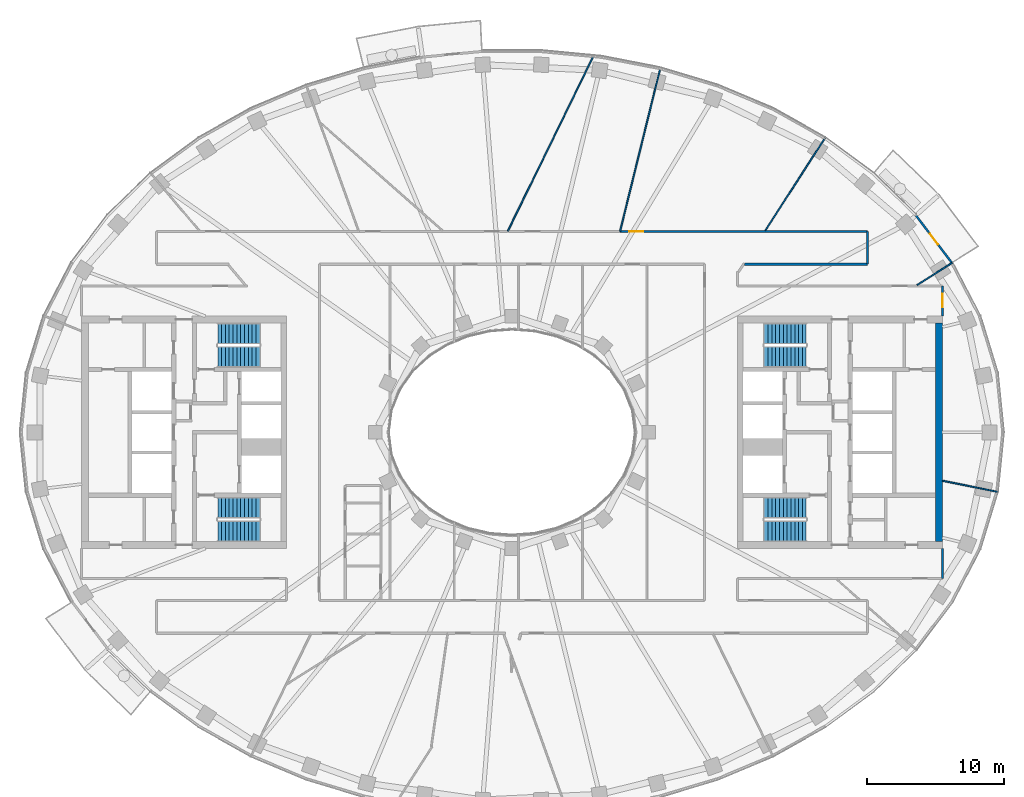
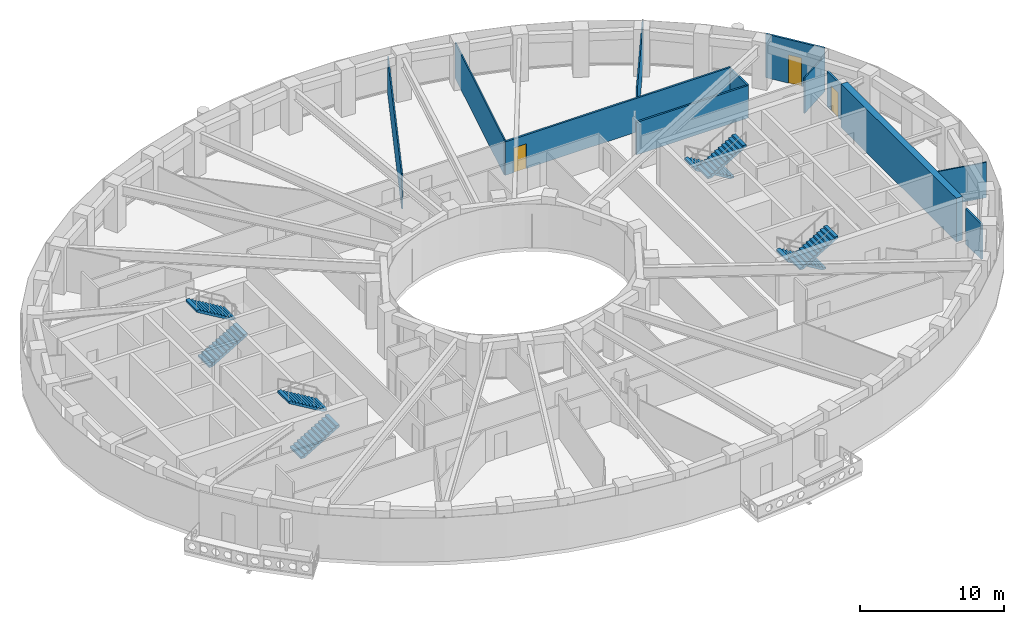
# One storey, part 7 of 16: 12 walls, 8 stair flights, 3 doors, 3 openings, 4 elements without a shape of their own.
"""IFC4 building model written with IfcOpenShell, lengths in metres."""

from ifc_helpers import new_model, si_unit, direction, frame, frame_2d, origin, place, context, subcontext, project, spatial, polyline, rectangle, outline, extrude, material, layer, layer_set, type_object, element, fill, aggregate, save


model = new_model("IFC4")

# Units and contexts
model_context = context("Model", 3, precision=1e-05, world=origin(), true_north=direction((0.0, 1.0)))
body_context = subcontext(model_context, "Body", "Model", "MODEL_VIEW")
ifc_project = project(units=[si_unit("LENGTHUNIT", "METRE"), si_unit("AREAUNIT", "SQUARE_METRE"), si_unit("VOLUMEUNIT", "CUBIC_METRE"), si_unit("PLANEANGLEUNIT", "RADIAN"), si_unit("MASSUNIT", "GRAM", prefix="KILO")], contexts=[model_context])

# Site, building, storey
site_placement = place(None, origin())
site = spatial("IfcSite", under=ifc_project, at=site_placement, CompositionType="ELEMENT")
building_placement = place(site_placement, origin())
building = spatial("IfcBuilding", under=site, at=building_placement, Name="Noorbagh Ring Tower", CompositionType="ELEMENT")
storey_placement = place(building_placement, frame((0.0, 0.0, 245.5)))
storey = spatial("IfcBuildingStorey", under=building, at=storey_placement, Name="L51", CompositionType="ELEMENT", Elevation=245.5)

# Wall
ifc_material_1 = material(Name="Concrete C60/75", Category="concrete")
ifc_layer_1 = layer(ifc_material_1, 0.5)
ifc_layer_set_1 = layer_set([ifc_layer_1], Name="Concrete C60/75")
wall_type_1 = type_object("IfcWallType", Name="CORE-WALL-500-C60-75-EI240", PredefinedType="SHEAR", material=ifc_layer_set_1)
wall_1_placement = place(storey_placement, frame((31.25, -8.0, 0.0), z_axis=(0.0, 0.0, 1.0), x_axis=(0.0, 1.0, 0.0)))
element("IfcWall", 1, at=wall_1_placement, inside=storey, type_object=wall_type_1, Name="Core wall E", PredefinedType="SHEAR", context=body_context, shape_type="SweptSolid", body=[
    extrude(rectangle(XDim=16.0, YDim=0.5, at=frame_2d((8.0, 0.0))), origin(), (0.0, 0.0, 1.0), 3.699951171875),
])

# Wall, opening, door
ifc_material_2 = material(Name="Gypsum board on steel studs", Category="steel")
ifc_layer_2 = layer(ifc_material_2, 0.14990234375)
ifc_layer_set_2 = layer_set([ifc_layer_2], Name="Gypsum board on steel studs")
wall_type_2 = type_object("IfcWallType", Name="CORRIDOR PARTITION 150 EI 30", PredefinedType="PARTITIONING", material=ifc_layer_set_2)
wall_2_placement = place(storey_placement, frame((7.9189453125, 14.699951171875, 0.0), z_axis=(0.0, 0.0, 1.0), x_axis=(1.0, 0.0, 0.0)))
wall_2 = element("IfcWall", 2, at=wall_2_placement, inside=storey, type_object=wall_type_2, Name="L51/wall/P51", PredefinedType="PARTITIONING", context=body_context, shape_type="SweptSolid", body=[
    extrude(rectangle(XDim=18.0810546875, YDim=0.14990234375, at=frame_2d((9.04052734375, 0.0))), origin(), (0.0, 0.0, 1.0), 2.85009765625),
])
opening_1_placement = place(wall_2_placement, frame((0.677978515625, 0.0, 0.0)))
opening_1 = element("IfcOpeningElement", 3, at=opening_1_placement, cuts=wall_2, Name="Opening D1", PredefinedType="OPENING", context=body_context, shape_type="SweptSolid", body=[
    extrude(rectangle(XDim=1.0, YDim=2.10009765625, at=frame_2d((0.5, 1.050048828125))), frame((0.0, 0.0849609375, 0.0), z_axis=(0.0, -1.0, 0.0), x_axis=(1.0, 0.0, 0.0)), (0.0, 0.0, 1.0), 0.169921875),
])
ifc_material_3 = material(Name="Timber, painted", Category="wood")
door_type_1 = type_object("IfcDoorType", Name="DOOR 1000 X 2100 FD30", OperationType="SINGLE_SWING_LEFT", PredefinedType="DOOR", material=ifc_material_3)
door_1_placement = place(opening_1_placement, origin())
door_1 = element("IfcDoor", 4, at=door_1_placement, inside=storey, type_object=door_type_1, Name="L51-D16", OperationType="SINGLE_SWING_RIGHT", OverallHeight=2.10009765625, OverallWidth=1.0, PredefinedType="DOOR", context=body_context, shape_type="SweptSolid", body=[
    extrude(rectangle(XDim=1.0, YDim=2.10009765625, at=frame_2d((0.5, 1.050048828125))), frame((0.0, 0.02490234375, 0.0), z_axis=(0.0, -1.0, 0.0), x_axis=(1.0, 0.0, 0.0)), (0.0, 0.0, 1.0), 0.050048828125),
])
fill(opening_1, door_1)

# Walls
wall_3_placement = place(storey_placement, frame((17.029052734375, 12.300048828125, 0.0), z_axis=(0.0, 0.0, 1.0), x_axis=(1.0, 0.0, 0.0)))
element("IfcWall", 5, at=wall_3_placement, inside=storey, type_object=wall_type_2, Name="L51/wall/P61", PredefinedType="PARTITIONING", context=body_context, shape_type="SweptSolid", body=[
    extrude(rectangle(XDim=8.970947265625, YDim=0.14990234375, at=frame_2d((4.4853515625, 0.0))), origin(), (0.0, 0.0, 1.0), 2.75),
])
wall_4_placement = place(storey_placement, frame((26.0, 12.300048828125, 0.0), z_axis=(0.0, 0.0, 1.0), x_axis=(0.0, 1.0, 0.0)))
element("IfcWall", 6, at=wall_4_placement, inside=storey, type_object=wall_type_2, Name="L51/wall/P66", PredefinedType="PARTITIONING", context=body_context, shape_type="SweptSolid", body=[
    extrude(rectangle(XDim=2.39990234375, YDim=0.14990234375, at=frame_2d((1.199951171875, 0.0))), origin(), (0.0, 0.0, 1.0), 2.75),
])
wall_5_placement = place(storey_placement, frame((31.5, -10.699951171875, 0.0), z_axis=(0.0, 0.0, 1.0), x_axis=(0.0, 1.0, 0.0)))
element("IfcWall", 7, at=wall_5_placement, inside=storey, type_object=wall_type_2, Name="L51/wall/P68", PredefinedType="PARTITIONING", context=body_context, shape_type="SweptSolid", body=[
    extrude(rectangle(XDim=2.199951171875, YDim=0.14990234375, at=frame_2d((1.10009765625, 0.0))), origin(), (0.0, 0.0, 1.0), 3.0),
])

# Wall, opening, door
wall_6_placement = place(storey_placement, frame((31.5, 8.5, 0.0), z_axis=(0.0, 0.0, 1.0), x_axis=(0.0, 1.0, 0.0)))
wall_6 = element("IfcWall", 8, at=wall_6_placement, inside=storey, type_object=wall_type_2, Name="L51/wall/P70", PredefinedType="PARTITIONING", context=body_context, shape_type="SweptSolid", body=[
    extrude(rectangle(XDim=2.199951171875, YDim=0.14990234375, at=frame_2d((1.10009765625, 0.0))), origin(), (0.0, 0.0, 1.0), 3.0),
])
opening_2_placement = place(wall_6_placement, frame((0.64990234375, 0.0, 0.0)))
opening_2 = element("IfcOpeningElement", 9, at=opening_2_placement, cuts=wall_6, Name="Opening D1", PredefinedType="OPENING", context=body_context, shape_type="SweptSolid", body=[
    extrude(rectangle(XDim=1.0, YDim=2.10009765625, at=frame_2d((0.5, 1.050048828125))), frame((0.0, 0.0849609375, 0.0), z_axis=(0.0, -1.0, 0.0), x_axis=(1.0, 0.0, 0.0)), (0.0, 0.0, 1.0), 0.169921875),
])
door_2_placement = place(opening_2_placement, origin())
door_2 = element("IfcDoor", 10, at=door_2_placement, inside=storey, type_object=door_type_1, Name="L51-D21", OperationType="SINGLE_SWING_LEFT", OverallHeight=2.10009765625, OverallWidth=1.0, PredefinedType="DOOR", context=body_context, shape_type="SweptSolid", body=[
    extrude(rectangle(XDim=1.0, YDim=2.10009765625, at=frame_2d((0.5, 1.050048828125))), frame((0.0, 0.02490234375, 0.0), z_axis=(0.0, -1.0, 0.0), x_axis=(1.0, 0.0, 0.0)), (0.0, 0.0, 1.0), 0.050048828125),
])
fill(opening_2, door_2)

ifc_material_4 = material(Name="Insulated aluminium clad panel", Category="aluminium")
ifc_layer_3 = layer(ifc_material_4, 0.14990234375)
ifc_layer_set_3 = layer_set([ifc_layer_3], Name="Insulated aluminium clad panel")
wall_type_3 = type_object("IfcWallType", Name="ENV-WALL-DOOR", PredefinedType="STANDARD", material=ifc_layer_set_3)
wall_7_placement = place(storey_placement, frame((32.20751953125, 12.37353515625, 0.0), z_axis=(0.0, 0.0, 1.0), x_axis=(-0.604045763106, 0.796949632081, 0.0)))
wall_7 = element("IfcWall", 11, at=wall_7_placement, inside=storey, type_object=wall_type_3, Name="Balcony door wall chord 04", PredefinedType="STANDARD", context=body_context, shape_type="SweptSolid", body=[
    extrude(rectangle(XDim=4.42333984375, YDim=0.14990234375, at=frame_2d((2.211669921875, 0.0))), origin(), (0.0, 0.0, 1.0), 3.699951171875),
])
opening_3_placement = place(wall_7_placement, frame((1.711669921875, 0.0, 0.0)))
opening_3 = element("IfcOpeningElement", 12, at=opening_3_placement, cuts=wall_7, Name="Opening D-BL", PredefinedType="OPENING", context=body_context, shape_type="SweptSolid", body=[
    extrude(rectangle(XDim=1.0, YDim=2.39990234375, at=frame_2d((0.5, 1.199951171875))), frame((0.0, 0.0849609375, 0.0), z_axis=(0.0, -1.0, 0.0), x_axis=(1.0, 0.0, 0.0)), (0.0, 0.0, 1.0), 0.169921875),
])
ifc_material_5 = material(Name="Aluminium and glass", Category="aluminium")
door_type_2 = type_object("IfcDoorType", Name="ENV-DOOR-BALCONY", OperationType="SINGLE_SWING_LEFT", PredefinedType="DOOR", material=ifc_material_5)
door_3_placement = place(opening_3_placement, origin())
door_3 = element("IfcDoor", 13, at=door_3_placement, inside=storey, type_object=door_type_2, Name="Balcony door chord 04", OperationType="SINGLE_SWING_RIGHT", OverallHeight=2.39990234375, OverallWidth=1.0, PredefinedType="DOOR", context=body_context, shape_type="SweptSolid", body=[
    extrude(rectangle(XDim=1.0, YDim=2.39990234375, at=frame_2d((0.5, 1.199951171875))), frame((0.0, 0.02490234375, 0.0), z_axis=(0.0, -1.0, 0.0), x_axis=(1.0, 0.0, 0.0)), (0.0, 0.0, 1.0), 0.050048828125),
])
fill(opening_3, door_3)

# Walls
ifc_material_6 = material(Name="Gypsum board on steel studs", Category="steel")
ifc_layer_4 = layer(ifc_material_6, 0.10009765625)
ifc_layer_set_4 = layer_set([ifc_layer_4], Name="Gypsum board on steel studs")
wall_type_4 = type_object("IfcWallType", Name="PARTITION 100 GYPSUM", PredefinedType="PARTITIONING", material=ifc_layer_set_4)
wall_8_placement = place(storey_placement, frame((-0.31201171875, 14.716064453125, 0.0), z_axis=(0.0, 0.0, 1.0), x_axis=(0.439293576349, 0.898343561105, 0.0)))
element("IfcWall", 14, at=wall_8_placement, inside=storey, type_object=wall_type_4, Name="L51/wall/P39", PredefinedType="PARTITIONING", context=body_context, shape_type="SweptSolid", body=[
    extrude(rectangle(XDim=14.27294921875, YDim=0.10009765625, at=frame_2d((7.136474609375, 0.0))), origin(), (0.0, 0.0, 1.0), 3.0),
])
wall_9_placement = place(storey_placement, frame((7.903076171875, 14.699951171875, 0.0), z_axis=(0.0, 0.0, 1.0), x_axis=(0.239738210493, 0.9708375716, 0.0)))
element("IfcWall", 15, at=wall_9_placement, inside=storey, type_object=wall_type_4, Name="L51/wall/P50", PredefinedType="PARTITIONING", context=body_context, shape_type="SweptSolid", body=[
    extrude(rectangle(XDim=12.304931640625, YDim=0.10009765625, at=frame_2d((6.15234375, 0.0))), origin(), (0.0, 0.0, 1.0), 3.0),
])
wall_10_placement = place(storey_placement, frame((18.5380859375, 14.77490234375, 0.0), z_axis=(0.0, 0.0, 1.0), x_axis=(0.542221460331, 0.840235614549, 0.0)))
element("IfcWall", 16, at=wall_10_placement, inside=storey, type_object=wall_type_4, Name="L51/wall/P62", PredefinedType="PARTITIONING", context=body_context, shape_type="SweptSolid", body=[
    extrude(rectangle(XDim=8.0537109375, YDim=0.10009765625, at=frame_2d((4.02685546875, 0.0))), origin(), (0.0, 0.0, 1.0), 3.699951171875),
])
wall_11_placement = place(storey_placement, frame((29.636962890625, 10.777099609375, 0.0), z_axis=(0.0, 0.0, 1.0), x_axis=(0.844810627195, 0.535065420467, 0.0)))
element("IfcWall", 17, at=wall_11_placement, inside=storey, type_object=wall_type_4, Name="L51/wall/P67", PredefinedType="PARTITIONING", context=body_context, shape_type="SweptSolid", body=[
    extrude(rectangle(XDim=3.0478515625, YDim=0.10009765625, at=frame_2d((1.52392578125, 0.0))), origin(), (0.0, 0.0, 1.0), 3.0),
])
wall_12_placement = place(storey_placement, frame((31.5, -3.5419921875, 0.0), z_axis=(0.0, 0.0, 1.0), x_axis=(0.980357474535, -0.197228857227, 0.0)))
element("IfcWall", 18, at=wall_12_placement, inside=storey, type_object=wall_type_4, Name="L51/wall/P69", PredefinedType="PARTITIONING", context=body_context, shape_type="SweptSolid", body=[
    extrude(rectangle(XDim=4.09228515625, YDim=0.10009765625, at=frame_2d((2.046142578125, 0.0))), origin(), (0.0, 0.0, 1.0), 3.0),
])

# Stair, stair flights
ifc_material_7 = material(Name="Concrete C40/50", Category="concrete")
stair_type = type_object("IfcStairType", Name="CORE-STAIR", PredefinedType="HALF_TURN_STAIR", material=ifc_material_7)
stair_1_placement = place(storey_placement, origin())
stair_1 = element("IfcStair", 19, at=stair_1_placement, inside=storey, type_object=stair_type, Name="L51 Exit stair ST1", PredefinedType="HALF_TURN_STAIR")
ifc_material_8 = material(Name="Concrete C40/50", Category="concrete")
stair_flight_type = type_object("IfcStairFlightType", Name="CORE-STAIR-FLIGHT", PredefinedType="STRAIGHT", material=ifc_material_8)
stair_flight_1_placement = place(storey_placement, frame((-21.530029296875, 5.52490234375, 0.0), z_axis=(0.0, 0.0, 1.0), x_axis=(1.0, 0.0, 0.0)))
stair_flight_1 = element("IfcStairFlight", 20, at=stair_flight_1_placement, type_object=stair_flight_type, Name="ST1 flight 1", NumberOfRisers=12, NumberOfTreads=11, PredefinedType="STRAIGHT", RiserHeight=0.166666667, TreadLength=0.28, context=body_context, shape_type="SweptSolid", body=[
    extrude(outline(polyline([(0.0, 0.0), (0.0, 0.166748046875), (0.280029296875, 0.166748046875), (0.280029296875, 0.333251953125), (0.56005859375, 0.333251953125), (0.56005859375, 0.5), (0.840087890625, 0.5), (0.840087890625, 0.666748046875), (1.1201171875, 0.666748046875), (1.1201171875, 0.833251953125), (1.39990234375, 0.833251953125), (1.39990234375, 1.0), (1.679931640625, 1.0), (1.679931640625, 1.166748046875), (1.9599609375, 1.166748046875), (1.9599609375, 1.333251953125), (2.239990234375, 1.333251953125), (2.239990234375, 1.5), (2.52001953125, 1.5), (2.52001953125, 1.666748046875), (2.800048828125, 1.666748046875), (2.800048828125, 1.833251953125), (3.080078125, 1.833251953125), (3.080078125, 2.0), (3.080078125, 1.658935546875), (0.29296875, 0.0), (0.0, 0.0)])), frame((0.0, 0.77490234375, 0.0), z_axis=(0.0, -1.0, 0.0), x_axis=(1.0, 0.0, 0.0)), (0.0, 0.0, 1.0), 1.550048828125),
])
stair_flight_2_placement = place(storey_placement, frame((-18.449951171875, 7.22509765625, 2.0), z_axis=(0.0, 0.0, 1.0), x_axis=(-1.0, 0.0, 0.0)))
stair_flight_2 = element("IfcStairFlight", 21, at=stair_flight_2_placement, type_object=stair_flight_type, Name="ST1 flight 2", NumberOfRisers=12, NumberOfTreads=11, PredefinedType="STRAIGHT", RiserHeight=0.166666667, TreadLength=0.28, context=body_context, shape_type="SweptSolid", body=[
    extrude(outline(polyline([(0.0, 0.0), (0.0, 0.166748046875), (0.280029296875, 0.166748046875), (0.280029296875, 0.333251953125), (0.56005859375, 0.333251953125), (0.56005859375, 0.5), (0.840087890625, 0.5), (0.840087890625, 0.666748046875), (1.1201171875, 0.666748046875), (1.1201171875, 0.833251953125), (1.39990234375, 0.833251953125), (1.39990234375, 1.0), (1.679931640625, 1.0), (1.679931640625, 1.166748046875), (1.9599609375, 1.166748046875), (1.9599609375, 1.333251953125), (2.239990234375, 1.333251953125), (2.239990234375, 1.5), (2.52001953125, 1.5), (2.52001953125, 1.666748046875), (2.800048828125, 1.666748046875), (2.800048828125, 1.833251953125), (3.080078125, 1.833251953125), (3.080078125, 2.0), (3.080078125, 1.658935546875), (0.29296875, 0.0), (0.0, 0.0)])), frame((0.0, 0.77490234375, 0.0), z_axis=(0.0, -1.0, 0.0), x_axis=(1.0, 0.0, 0.0)), (0.0, 0.0, 1.0), 1.550048828125),
])
aggregate(stair_1, [stair_flight_1, stair_flight_2])

stair_2_placement = place(storey_placement, origin())
stair_2 = element("IfcStair", 22, at=stair_2_placement, inside=storey, type_object=stair_type, Name="L51 Exit stair ST2", PredefinedType="HALF_TURN_STAIR")
stair_flight_3_placement = place(storey_placement, frame((-21.530029296875, -7.22509765625, 0.0), z_axis=(0.0, 0.0, 1.0), x_axis=(1.0, 0.0, 0.0)))
stair_flight_3 = element("IfcStairFlight", 23, at=stair_flight_3_placement, type_object=stair_flight_type, Name="ST2 flight 1", NumberOfRisers=12, NumberOfTreads=11, PredefinedType="STRAIGHT", RiserHeight=0.166666667, TreadLength=0.28, context=body_context, shape_type="SweptSolid", body=[
    extrude(outline(polyline([(0.0, 0.0), (0.0, 0.166748046875), (0.280029296875, 0.166748046875), (0.280029296875, 0.333251953125), (0.56005859375, 0.333251953125), (0.56005859375, 0.5), (0.840087890625, 0.5), (0.840087890625, 0.666748046875), (1.1201171875, 0.666748046875), (1.1201171875, 0.833251953125), (1.39990234375, 0.833251953125), (1.39990234375, 1.0), (1.679931640625, 1.0), (1.679931640625, 1.166748046875), (1.9599609375, 1.166748046875), (1.9599609375, 1.333251953125), (2.239990234375, 1.333251953125), (2.239990234375, 1.5), (2.52001953125, 1.5), (2.52001953125, 1.666748046875), (2.800048828125, 1.666748046875), (2.800048828125, 1.833251953125), (3.080078125, 1.833251953125), (3.080078125, 2.0), (3.080078125, 1.658935546875), (0.29296875, 0.0), (0.0, 0.0)])), frame((0.0, 0.77490234375, 0.0), z_axis=(0.0, -1.0, 0.0), x_axis=(1.0, 0.0, 0.0)), (0.0, 0.0, 1.0), 1.550048828125),
])
stair_flight_4_placement = place(storey_placement, frame((-18.449951171875, -5.52490234375, 2.0), z_axis=(0.0, 0.0, 1.0), x_axis=(-1.0, 0.0, 0.0)))
stair_flight_4 = element("IfcStairFlight", 24, at=stair_flight_4_placement, type_object=stair_flight_type, Name="ST2 flight 2", NumberOfRisers=12, NumberOfTreads=11, PredefinedType="STRAIGHT", RiserHeight=0.166666667, TreadLength=0.28, context=body_context, shape_type="SweptSolid", body=[
    extrude(outline(polyline([(0.0, 0.0), (0.0, 0.166748046875), (0.280029296875, 0.166748046875), (0.280029296875, 0.333251953125), (0.56005859375, 0.333251953125), (0.56005859375, 0.5), (0.840087890625, 0.5), (0.840087890625, 0.666748046875), (1.1201171875, 0.666748046875), (1.1201171875, 0.833251953125), (1.39990234375, 0.833251953125), (1.39990234375, 1.0), (1.679931640625, 1.0), (1.679931640625, 1.166748046875), (1.9599609375, 1.166748046875), (1.9599609375, 1.333251953125), (2.239990234375, 1.333251953125), (2.239990234375, 1.5), (2.52001953125, 1.5), (2.52001953125, 1.666748046875), (2.800048828125, 1.666748046875), (2.800048828125, 1.833251953125), (3.080078125, 1.833251953125), (3.080078125, 2.0), (3.080078125, 1.658935546875), (0.29296875, 0.0), (0.0, 0.0)])), frame((0.0, 0.77490234375, 0.0), z_axis=(0.0, -1.0, 0.0), x_axis=(1.0, 0.0, 0.0)), (0.0, 0.0, 1.0), 1.550048828125),
])
aggregate(stair_2, [stair_flight_3, stair_flight_4])

stair_3_placement = place(storey_placement, origin())
stair_3 = element("IfcStair", 25, at=stair_3_placement, inside=storey, type_object=stair_type, Name="L51 Exit stair ST3", PredefinedType="HALF_TURN_STAIR")
stair_flight_5_placement = place(storey_placement, frame((21.530029296875, 7.22509765625, 0.0), z_axis=(0.0, 0.0, 1.0), x_axis=(-1.0, 0.0, 0.0)))
stair_flight_5 = element("IfcStairFlight", 26, at=stair_flight_5_placement, type_object=stair_flight_type, Name="ST3 flight 1", NumberOfRisers=12, NumberOfTreads=11, PredefinedType="STRAIGHT", RiserHeight=0.166666667, TreadLength=0.28, context=body_context, shape_type="SweptSolid", body=[
    extrude(outline(polyline([(0.0, 0.0), (0.0, 0.166748046875), (0.280029296875, 0.166748046875), (0.280029296875, 0.333251953125), (0.56005859375, 0.333251953125), (0.56005859375, 0.5), (0.840087890625, 0.5), (0.840087890625, 0.666748046875), (1.1201171875, 0.666748046875), (1.1201171875, 0.833251953125), (1.39990234375, 0.833251953125), (1.39990234375, 1.0), (1.679931640625, 1.0), (1.679931640625, 1.166748046875), (1.9599609375, 1.166748046875), (1.9599609375, 1.333251953125), (2.239990234375, 1.333251953125), (2.239990234375, 1.5), (2.52001953125, 1.5), (2.52001953125, 1.666748046875), (2.800048828125, 1.666748046875), (2.800048828125, 1.833251953125), (3.080078125, 1.833251953125), (3.080078125, 2.0), (3.080078125, 1.658935546875), (0.29296875, 0.0), (0.0, 0.0)])), frame((0.0, 0.77490234375, 0.0), z_axis=(0.0, -1.0, 0.0), x_axis=(1.0, 0.0, 0.0)), (0.0, 0.0, 1.0), 1.550048828125),
])
stair_flight_6_placement = place(storey_placement, frame((18.449951171875, 5.52490234375, 2.0), z_axis=(0.0, 0.0, 1.0), x_axis=(1.0, 0.0, 0.0)))
stair_flight_6 = element("IfcStairFlight", 27, at=stair_flight_6_placement, type_object=stair_flight_type, Name="ST3 flight 2", NumberOfRisers=12, NumberOfTreads=11, PredefinedType="STRAIGHT", RiserHeight=0.166666667, TreadLength=0.28, context=body_context, shape_type="SweptSolid", body=[
    extrude(outline(polyline([(0.0, 0.0), (0.0, 0.166748046875), (0.280029296875, 0.166748046875), (0.280029296875, 0.333251953125), (0.56005859375, 0.333251953125), (0.56005859375, 0.5), (0.840087890625, 0.5), (0.840087890625, 0.666748046875), (1.1201171875, 0.666748046875), (1.1201171875, 0.833251953125), (1.39990234375, 0.833251953125), (1.39990234375, 1.0), (1.679931640625, 1.0), (1.679931640625, 1.166748046875), (1.9599609375, 1.166748046875), (1.9599609375, 1.333251953125), (2.239990234375, 1.333251953125), (2.239990234375, 1.5), (2.52001953125, 1.5), (2.52001953125, 1.666748046875), (2.800048828125, 1.666748046875), (2.800048828125, 1.833251953125), (3.080078125, 1.833251953125), (3.080078125, 2.0), (3.080078125, 1.658935546875), (0.29296875, 0.0), (0.0, 0.0)])), frame((0.0, 0.77490234375, 0.0), z_axis=(0.0, -1.0, 0.0), x_axis=(1.0, 0.0, 0.0)), (0.0, 0.0, 1.0), 1.550048828125),
])
aggregate(stair_3, [stair_flight_5, stair_flight_6])

stair_4_placement = place(storey_placement, origin())
stair_4 = element("IfcStair", 28, at=stair_4_placement, inside=storey, type_object=stair_type, Name="L51 Exit stair ST4", PredefinedType="HALF_TURN_STAIR")
stair_flight_7_placement = place(storey_placement, frame((21.530029296875, -5.52490234375, 0.0), z_axis=(0.0, 0.0, 1.0), x_axis=(-1.0, 0.0, 0.0)))
stair_flight_7 = element("IfcStairFlight", 29, at=stair_flight_7_placement, type_object=stair_flight_type, Name="ST4 flight 1", NumberOfRisers=12, NumberOfTreads=11, PredefinedType="STRAIGHT", RiserHeight=0.166666667, TreadLength=0.28, context=body_context, shape_type="SweptSolid", body=[
    extrude(outline(polyline([(0.0, 0.0), (0.0, 0.166748046875), (0.280029296875, 0.166748046875), (0.280029296875, 0.333251953125), (0.56005859375, 0.333251953125), (0.56005859375, 0.5), (0.840087890625, 0.5), (0.840087890625, 0.666748046875), (1.1201171875, 0.666748046875), (1.1201171875, 0.833251953125), (1.39990234375, 0.833251953125), (1.39990234375, 1.0), (1.679931640625, 1.0), (1.679931640625, 1.166748046875), (1.9599609375, 1.166748046875), (1.9599609375, 1.333251953125), (2.239990234375, 1.333251953125), (2.239990234375, 1.5), (2.52001953125, 1.5), (2.52001953125, 1.666748046875), (2.800048828125, 1.666748046875), (2.800048828125, 1.833251953125), (3.080078125, 1.833251953125), (3.080078125, 2.0), (3.080078125, 1.658935546875), (0.29296875, 0.0), (0.0, 0.0)])), frame((0.0, 0.77490234375, 0.0), z_axis=(0.0, -1.0, 0.0), x_axis=(1.0, 0.0, 0.0)), (0.0, 0.0, 1.0), 1.550048828125),
])
stair_flight_8_placement = place(storey_placement, frame((18.449951171875, -7.22509765625, 2.0), z_axis=(0.0, 0.0, 1.0), x_axis=(1.0, 0.0, 0.0)))
stair_flight_8 = element("IfcStairFlight", 30, at=stair_flight_8_placement, type_object=stair_flight_type, Name="ST4 flight 2", NumberOfRisers=12, NumberOfTreads=11, PredefinedType="STRAIGHT", RiserHeight=0.166666667, TreadLength=0.28, context=body_context, shape_type="SweptSolid", body=[
    extrude(outline(polyline([(0.0, 0.0), (0.0, 0.166748046875), (0.280029296875, 0.166748046875), (0.280029296875, 0.333251953125), (0.56005859375, 0.333251953125), (0.56005859375, 0.5), (0.840087890625, 0.5), (0.840087890625, 0.666748046875), (1.1201171875, 0.666748046875), (1.1201171875, 0.833251953125), (1.39990234375, 0.833251953125), (1.39990234375, 1.0), (1.679931640625, 1.0), (1.679931640625, 1.166748046875), (1.9599609375, 1.166748046875), (1.9599609375, 1.333251953125), (2.239990234375, 1.333251953125), (2.239990234375, 1.5), (2.52001953125, 1.5), (2.52001953125, 1.666748046875), (2.800048828125, 1.666748046875), (2.800048828125, 1.833251953125), (3.080078125, 1.833251953125), (3.080078125, 2.0), (3.080078125, 1.658935546875), (0.29296875, 0.0), (0.0, 0.0)])), frame((0.0, 0.77490234375, 0.0), z_axis=(0.0, -1.0, 0.0), x_axis=(1.0, 0.0, 0.0)), (0.0, 0.0, 1.0), 1.550048828125),
])
aggregate(stair_4, [stair_flight_7, stair_flight_8])

save(model, "model.ifc")
